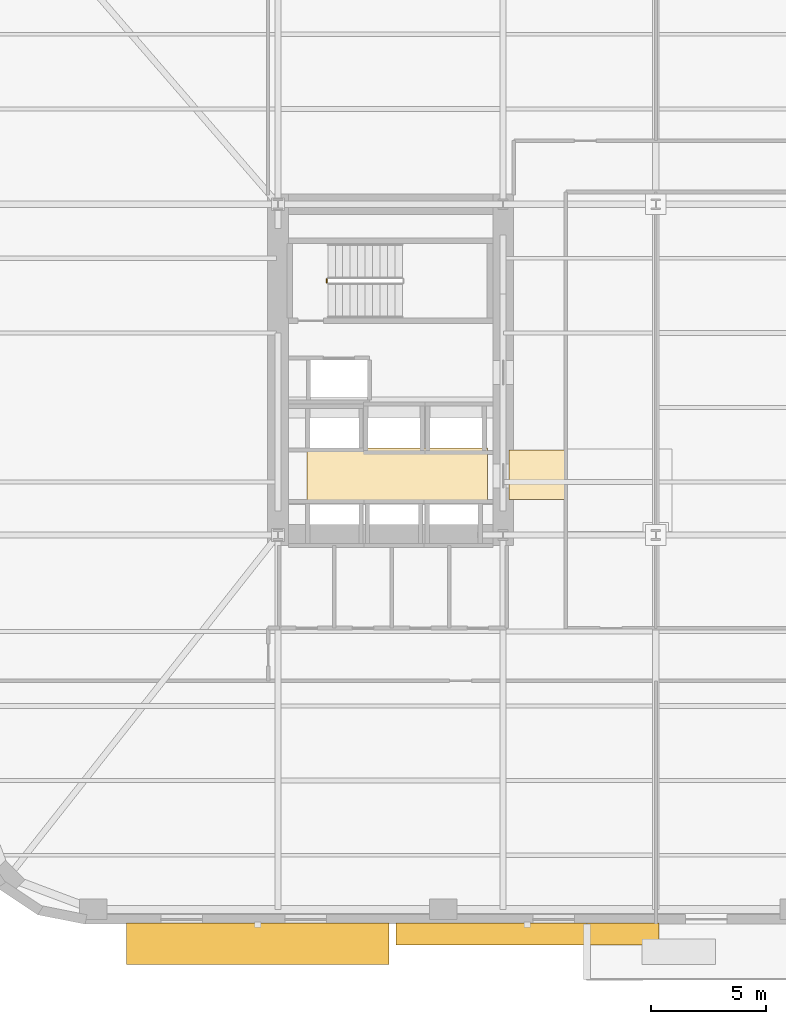
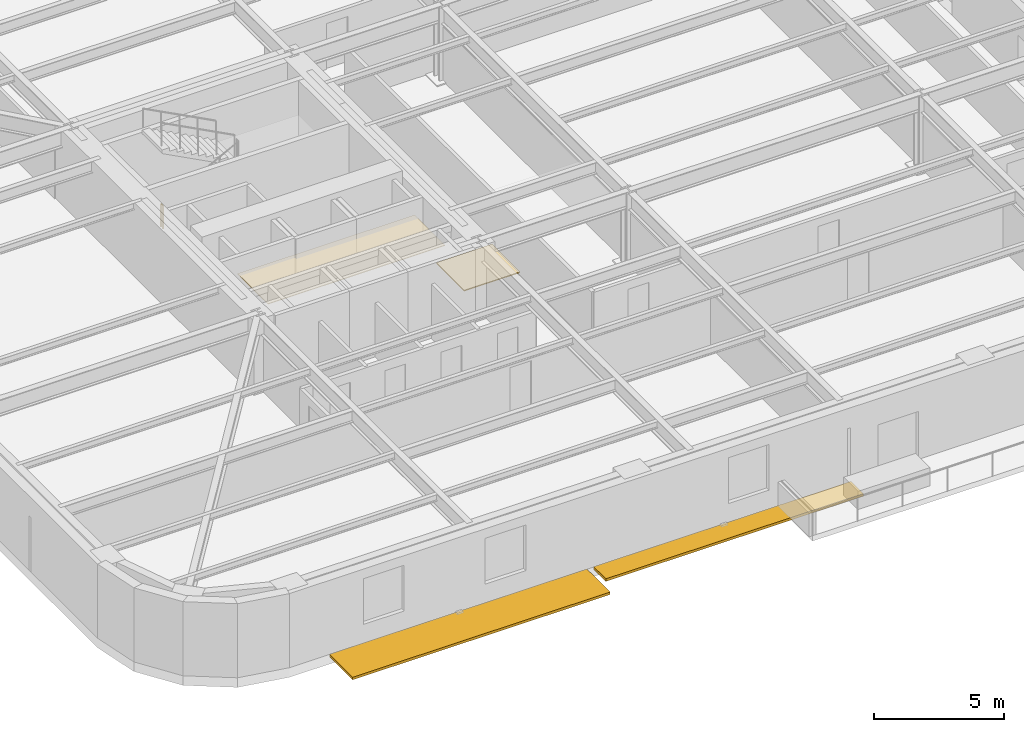
# One storey, part 9 of 15: 2 coverings, 2 shading devices, 1 railing.
"""IFC4 building model written with IfcOpenShell, lengths in metres."""

from ifc_helpers import new_model, si_unit, direction, frame, origin, origin_2d, place, context, subcontext, project, spatial, polyline, rectangle, circle, outline, extrude, material, layer, layer_set, type_object, element, save


model = new_model("IFC4")

# Units and contexts
model_context = context("Model", 3, precision=1e-05, world=origin(), true_north=direction((0.0, 1.0)))
body_context = subcontext(model_context, "Body", "Model", "MODEL_VIEW")
ifc_project = project(units=[si_unit("LENGTHUNIT", "METRE"), si_unit("AREAUNIT", "SQUARE_METRE"), si_unit("VOLUMEUNIT", "CUBIC_METRE"), si_unit("PLANEANGLEUNIT", "RADIAN"), si_unit("MASSUNIT", "GRAM", prefix="KILO")], contexts=[model_context])

# Site, building, storey
site_placement = place(None, origin())
site = spatial("IfcSite", under=ifc_project, at=site_placement, CompositionType="ELEMENT")
building_placement = place(site_placement, origin())
building = spatial("IfcBuilding", under=site, at=building_placement, Name="Kolvaren Arena Tower", CompositionType="ELEMENT")
storey_placement = place(building_placement, frame((0.0, 0.0, 42.0)))
storey = spatial("IfcBuildingStorey", under=building, at=storey_placement, Name="L07", CompositionType="ELEMENT", Elevation=42.0)

# Coverings
ifc_material_1 = material(Name="Moisture-resistant gypsum ceiling", Category="gypsum")
ifc_layer_1 = layer(ifc_material_1, 0.030029296875)
ifc_layer_set_1 = layer_set([ifc_layer_1], Name="Moisture-resistant gypsum ceiling")
covering_type_1 = type_object("IfcCoveringType", Name="CEIL-GYP-1", PredefinedType="CEILING", material=ifc_layer_set_1)
covering_1_placement = place(storey_placement, frame((0.0, 0.0, 2.52001953125)))
element("IfcCovering", 1, at=covering_1_placement, inside=storey, type_object=covering_type_1, Name="Suspended Ceiling (L07)", PredefinedType="CEILING", context=body_context, shape_type="SweptSolid", body=[
    extrude(outline(polyline([(15.820068359375, 20.89990234375), (15.820068359375, 23.239990234375), (23.679931640625, 23.239990234375), (23.679931640625, 20.89990234375), (15.820068359375, 20.89990234375)])), origin(), (0.0, 0.0, 1.0), 0.030029296875),
])
ifc_material_2 = material(Name="Raised access office floor finish", Category="aluminium")
ifc_layer_2 = layer(ifc_material_2, 0.044921875)
ifc_layer_set_2 = layer_set([ifc_layer_2], Name="Raised access office floor finish")
covering_type_2 = type_object("IfcCoveringType", Name="FLOR-RAF-1", PredefinedType="FLOORING", material=ifc_layer_set_2)
covering_2_placement = place(storey_placement, origin())
element("IfcCovering", 2, at=covering_2_placement, inside=storey, type_object=covering_type_2, Name="Floor Finish (L07)", PredefinedType="FLOORING", context=body_context, shape_type="SweptSolid", body=[
    extrude(outline(polyline([(24.60009765625, 21.0), (24.60009765625, 23.14990234375), (27.080078125, 23.14990234375), (27.080078125, 21.0), (24.60009765625, 21.0)])), origin(), (0.0, 0.0, 1.0), 0.044921875),
])

# Railing
ifc_material_3 = material(Name="Painted galvanized steel", Category="steel")
railing_type = type_object("IfcRailingType", Name="GUARD-ST-110", PredefinedType="GUARDRAIL", material=ifc_material_3)
railing_placement = place(storey_placement, frame((16.669921875, 30.43994140625, 0.0)))
element("IfcRailing", 3, at=railing_placement, inside=storey, type_object=railing_type, Name="L07 ST-W1 stair guard 4", PredefinedType="GUARDRAIL", context=body_context, shape_type="SweptSolid", body=[
    extrude(circle(Radius=0.02392578125, at=origin_2d()), frame((0.0, 0.0, 1.076171875), z_axis=(0.0, 1.0, 0.0), x_axis=(-1.0, 0.0, 0.0)), (0.0, 0.0, 1.0), 0.150146484375),
    extrude(circle(Radius=0.02099609375, at=origin_2d()), origin(), (0.0, 0.0, 1.0), 1.052001953125),
    extrude(circle(Radius=0.02099609375, at=origin_2d()), frame((0.0, 0.150146484375, 0.0)), (0.0, 0.0, 1.0), 1.052001953125),
])

# Shading devices
ifc_material_4 = material(Name="Architectural precast GFRC and anodised aluminium sunshade", Category="concrete")
shading_device_type_1 = type_object("IfcShadingDeviceType", Name="SHAD-SINE-A", PredefinedType="USERDEFINED", material=ifc_material_4)
shading_device_1_placement = place(storey_placement, frame((25.409912109375, 2.07470703125, -0.14013671875), z_axis=(0.0, 0.0, 1.0), x_axis=(-1.0, 0.0, 0.0)))
element("IfcShadingDevice", 4, at=shading_device_1_placement, inside=storey, type_object=shading_device_type_1, Name="Sinusoidal Slab-Edge Sunshade Louvre (L07)", ObjectType="LOUVRE", PredefinedType="USERDEFINED", context=body_context, shape_type="SweptSolid", body=[
    extrude(rectangle(XDim=11.43994140625, YDim=0.950439453125, at=origin_2d()), origin(), (0.0, 0.0, 1.0), 0.1201171875),
])
shading_device_type_2 = type_object("IfcShadingDeviceType", Name="SHAD-SINE-B", PredefinedType="JALOUSIE", material=ifc_material_4)
shading_device_2_placement = place(storey_placement, frame((13.669921875, 1.65087890625, -0.14013671875), z_axis=(0.0, 0.0, 1.0), x_axis=(-1.0, 0.0, 0.0)))
element("IfcShadingDevice", 5, at=shading_device_2_placement, inside=storey, type_object=shading_device_type_2, Name="Sinusoidal Slab-Edge Sunshade Louvre (L07)", PredefinedType="JALOUSIE", context=body_context, shape_type="SweptSolid", body=[
    extrude(rectangle(XDim=11.43994140625, YDim=1.798095703125, at=origin_2d()), origin(), (0.0, 0.0, 1.0), 0.1201171875),
])

save(model, "model.ifc")
